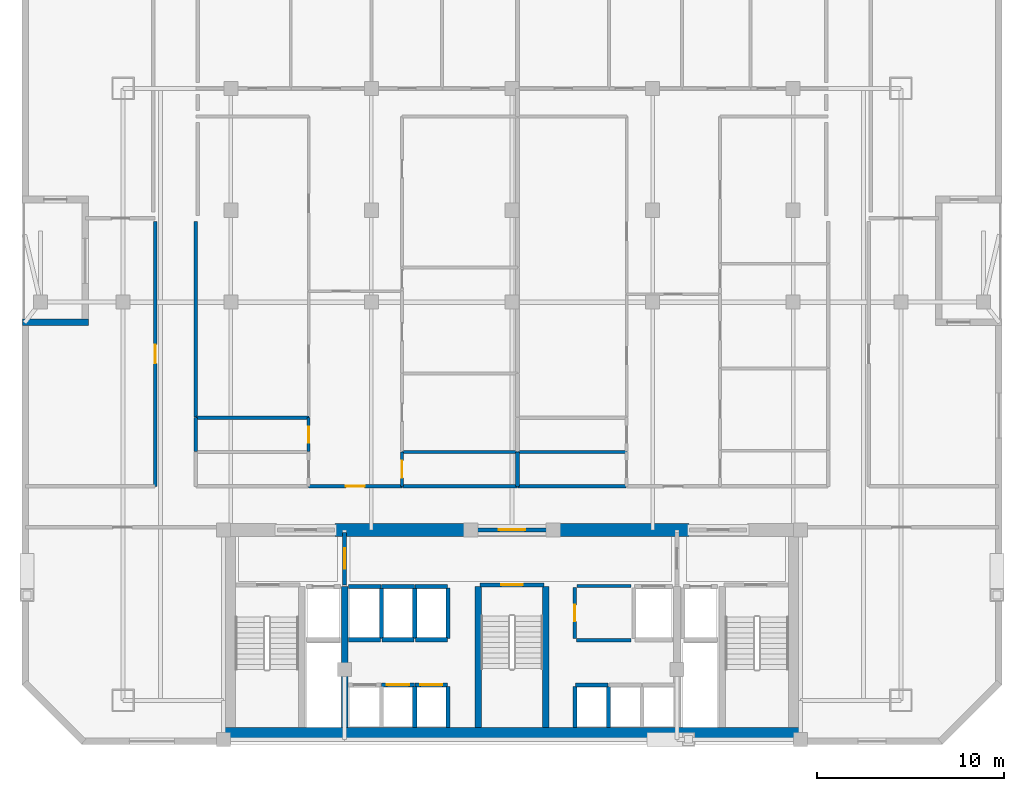
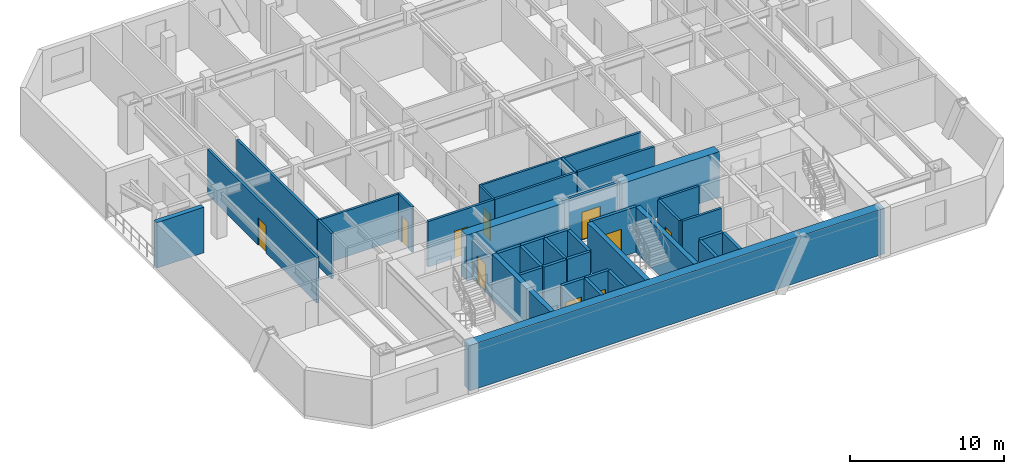
# One storey, part 3 of 9: 41 walls, 10 doors, 10 openings.
"""IFC4 building model written with IfcOpenShell, lengths in metres."""

from ifc_helpers import new_model, si_unit, direction, frame, frame_2d, origin, place, context, subcontext, project, spatial, rectangle, extrude, material, layer, layer_set, type_object, element, fill, save


model = new_model("IFC4")

# Units and contexts
model_context = context("Model", 3, precision=1e-05, world=origin(), true_north=direction((0.0, 1.0)))
body_context = subcontext(model_context, "Body", "Model", "MODEL_VIEW")
ifc_project = project(units=[si_unit("LENGTHUNIT", "METRE"), si_unit("AREAUNIT", "SQUARE_METRE"), si_unit("VOLUMEUNIT", "CUBIC_METRE"), si_unit("PLANEANGLEUNIT", "RADIAN"), si_unit("MASSUNIT", "GRAM", prefix="KILO")], contexts=[model_context])

# Site, building, storey
site_placement = place(None, origin())
site = spatial("IfcSite", under=ifc_project, at=site_placement, CompositionType="ELEMENT")
building_placement = place(site_placement, origin())
building = spatial("IfcBuilding", under=site, at=building_placement, Name="Ventersveld Concourse Tower", CompositionType="ELEMENT")
storey_placement = place(building_placement, frame((0.0, 0.0, 108.0)))
storey = spatial("IfcBuildingStorey", under=building, at=storey_placement, Name="L26", CompositionType="ELEMENT", Elevation=108.0)

# Walls
ifc_material_1 = material(Name="Concrete C60/75", Category="concrete")
ifc_layer_1 = layer(ifc_material_1, 0.35009765625)
ifc_layer_set_1 = layer_set([ifc_layer_1], Name="Concrete C60/75")
wall_type_1 = type_object("IfcWallType", Name="WL-CORE-350L", PredefinedType="SHEAR", material=ifc_layer_set_1)
for number, where, z_axis, x_axis, name in (
    (1, (19.820068359375, 0.919921875, 0.0), (0.0, 0.0, 1.0), (0.0, 1.0, 0.0), "L26 Core Internal Shear Web W-FF1-E"),
    (2, (26.93994140625, 0.919921875, 0.0), (0.0, 0.0, 1.0), (0.0, 1.0, 0.0), "L26 Core Internal Shear Web W-ST3-W"),
    (3, (30.56005859375, 0.919921875, 0.0), (0.0, 0.0, 1.0), (0.0, 1.0, 0.0), "L26 Core Internal Shear Web W-ST3-E"),
):
    element("IfcWall", number, at=place(storey_placement, frame(where, z_axis=z_axis, x_axis=x_axis)), inside=storey, type_object=wall_type_1, Name=name, PredefinedType="SHEAR", context=body_context, shape_type="SweptSolid", body=[
        extrude(rectangle(XDim=7.5, YDim=0.35009765625, at=frame_2d((3.75, 0.0))), origin(), (0.0, 0.0, 1.0), 3.60009765625),
    ])
ifc_layer_2 = layer(ifc_material_1, 0.699951171875)
ifc_layer_set_2 = layer_set([ifc_layer_2], Name="Concrete C60/75")
wall_type_2 = type_object("IfcWallType", Name="WL-CORE-700", PredefinedType="SHEAR", material=ifc_layer_set_2)
wall_1_placement = place(storey_placement, frame((13.25, 0.570068359375, 0.0), z_axis=(0.0, 0.0, 1.0), x_axis=(1.0, 0.0, 0.0)))
element("IfcWall", 4, at=wall_1_placement, inside=storey, type_object=wall_type_2, Name="L26 Rear Core South Shear Wall", PredefinedType="SHEAR", context=body_context, shape_type="SweptSolid", body=[
    extrude(rectangle(XDim=31.0, YDim=0.699951171875, at=frame_2d((15.5, 0.0))), origin(), (0.0, 0.0, 1.0), 3.60009765625),
])
for number, where, z_axis, x_axis, name in (
    (5, (19.300048828125, 11.449951171875, 0.0), (0.0, 0.0, 1.0), (1.0, 0.0, 0.0), "L26 Rear Core North Shear Wall NML"),
    (6, (30.89990234375, 11.449951171875, 0.0), (0.0, 0.0, 1.0), (1.0, 0.0, 0.0), "L26 Rear Core North Shear Wall NMR"),
):
    element("IfcWall", number, at=place(storey_placement, frame(where, z_axis=z_axis, x_axis=x_axis)), inside=storey, type_object=wall_type_2, Name=name, PredefinedType="SHEAR", context=body_context, shape_type="SweptSolid", body=[
        extrude(rectangle(XDim=7.300048828125, YDim=0.699951171875, at=frame_2d((3.64990234375, 0.0))), origin(), (0.0, 0.0, 1.0), 3.60009765625),
    ])

# Wall, opening, door
ifc_material_2 = material(Name="Fire-rated autoclaved aerated masonry blockwork", Category="masonry")
ifc_layer_3 = layer(ifc_material_2, 0.179931640625)
ifc_layer_set_3 = layer_set([ifc_layer_3], Name="Fire-rated autoclaved aerated masonry blockwork")
wall_type_3 = type_object("IfcWallType", Name="WL-CORR-180", PredefinedType="PARTITIONING", material=ifc_layer_set_3)
wall_2_placement = place(storey_placement, frame((32.10009765625, 5.64990234375, 0.0), z_axis=(0.0, 0.0, 1.0), x_axis=(0.0, 1.0, 0.0)))
wall_2 = element("IfcWall", 7, at=wall_2_placement, inside=storey, type_object=wall_type_3, Name="L26 Core Passage Wall SP-L26-CBAY1", PredefinedType="PARTITIONING", context=body_context, shape_type="SweptSolid", body=[
    extrude(rectangle(XDim=2.72998046875, YDim=0.179931640625, at=frame_2d((1.364990234375, 0.0))), origin(), (0.0, 0.0, 1.0), 3.60009765625),
])
opening_1_placement = place(wall_2_placement, frame((0.925048828125, 0.0, 0.0)))
opening_1 = element("IfcOpeningElement", 8, at=opening_1_placement, cuts=wall_2, Name="Opening FD5", PredefinedType="OPENING", context=body_context, shape_type="SweptSolid", body=[
    extrude(rectangle(XDim=0.8798828125, YDim=2.050048828125, at=frame_2d((0.43994140625, 1.02490234375))), frame((0.0, 0.10009765625, 0.0), z_axis=(0.0, -1.0, 0.0), x_axis=(1.0, 0.0, 0.0)), (0.0, 0.0, 1.0), 0.199951171875),
])
ifc_material_3 = material(Name="Galvanised painted steel", Category="steel")
door_type_1 = type_object("IfcDoorType", Name="DR-RISER-088", OperationType="NOTDEFINED", PredefinedType="DOOR", material=ifc_material_3)
door_1_placement = place(opening_1_placement, origin())
door_1 = element("IfcDoor", 9, at=door_1_placement, inside=storey, type_object=door_type_1, Name="L26 Core Room Door L26 Core Housekeeping Linen Store (CD-L26-1274)", OperationType="SINGLE_SWING_LEFT", OverallHeight=2.050048828125, OverallWidth=0.8798828125, PredefinedType="DOOR", context=body_context, shape_type="SweptSolid", body=[
    extrude(rectangle(XDim=0.8798828125, YDim=2.050048828125, at=frame_2d((0.43994140625, 1.02490234375))), frame((0.0, 0.02490234375, 0.0), z_axis=(0.0, -1.0, 0.0), x_axis=(1.0, 0.0, 0.0)), (0.0, 0.0, 1.0), 0.050048828125),
])
fill(opening_1, door_1)

# Walls
wall_3_placement = place(storey_placement, frame((32.219970703125, 8.4599609375, 0.0), z_axis=(0.0, 0.0, 1.0), x_axis=(1.0, 0.0, 0.0)))
element("IfcWall", 10, at=wall_3_placement, inside=storey, type_object=wall_type_3, Name="L26 Core Top Wall SP-L26-CBAY1", PredefinedType="PARTITIONING", context=body_context, shape_type="SweptSolid", body=[
    extrude(rectangle(XDim=2.880126953125, YDim=0.179931640625, at=frame_2d((1.43994140625, 0.0))), origin(), (0.0, 0.0, 1.0), 3.60009765625),
])
wall_4_placement = place(storey_placement, frame((32.179931640625, 5.570068359375, 0.0), z_axis=(0.0, 0.0, 1.0), x_axis=(1.0, 0.0, 0.0)))
element("IfcWall", 11, at=wall_4_placement, inside=storey, type_object=wall_type_3, Name="L26 Core Bot Wall SP-L26-CBAY1", PredefinedType="PARTITIONING", context=body_context, shape_type="SweptSolid", body=[
    extrude(rectangle(XDim=2.920166015625, YDim=0.179931640625, at=frame_2d((1.4599609375, 0.0))), origin(), (0.0, 0.0, 1.0), 3.60009765625),
])

# Wall, opening, door
wall_5_placement = place(storey_placement, frame((9.7099609375, 13.764892578125, 0.0), z_axis=(0.0, 0.0, 1.0), x_axis=(0.0, 1.0, 0.0)))
wall_5 = element("IfcWall", 12, at=wall_5_placement, inside=storey, type_object=wall_type_3, Name="L26 Interior Partition SP-L26-COR-SP-L26-NWLNG1", PredefinedType="PARTITIONING", context=body_context, shape_type="SweptSolid", body=[
    extrude(rectangle(XDim=14.130126953125, YDim=0.179931640625, at=frame_2d((7.06494140625, 0.0))), origin(), (0.0, 0.0, 1.0), 3.60009765625),
])
opening_2_placement = place(wall_5_placement, frame((6.56494140625, 0.0, 0.0)))
opening_2 = element("IfcOpeningElement", 13, at=opening_2_placement, cuts=wall_5, Name="Opening FD3", PredefinedType="OPENING", context=body_context, shape_type="SweptSolid", body=[
    extrude(rectangle(XDim=1.0, YDim=2.14990234375, at=frame_2d((0.5, 1.074951171875))), frame((0.0, 0.10009765625, 0.0), z_axis=(0.0, -1.0, 0.0), x_axis=(1.0, 0.0, 0.0)), (0.0, 0.0, 1.0), 0.199951171875),
])
ifc_material_4 = material(Name="Solid-core hardwood veneer timber", Category="wood")
door_type_2 = type_object("IfcDoorType", Name="DR-FLAT-100", OperationType="NOTDEFINED", PredefinedType="DOOR", material=ifc_material_4)
door_2_placement = place(opening_2_placement, origin())
door_2 = element("IfcDoor", 14, at=door_2_placement, inside=storey, type_object=door_type_2, Name="L26 Interior Door SP-L26-COR to SP-L26-NWLNG1 (D-L26-1277)", OperationType="SINGLE_SWING_LEFT", OverallHeight=2.14990234375, OverallWidth=1.0, PredefinedType="DOOR", context=body_context, shape_type="SweptSolid", body=[
    extrude(rectangle(XDim=1.0, YDim=2.14990234375, at=frame_2d((0.5, 1.074951171875))), frame((0.0, 0.02490234375, 0.0), z_axis=(0.0, -1.0, 0.0), x_axis=(1.0, 0.0, 0.0)), (0.0, 0.0, 1.0), 0.050048828125),
])
fill(opening_2, door_2)

wall_6_placement = place(storey_placement, frame((17.89794921875, 13.77001953125, 0.0), z_axis=(0.0, 0.0, 1.0), x_axis=(1.0, 0.0, 0.0)))
wall_6 = element("IfcWall", 15, at=wall_6_placement, inside=storey, type_object=wall_type_3, Name="L26 Interior Partition SP-L26-COR-SP-L26-26N1-FOY", PredefinedType="PARTITIONING", context=body_context, shape_type="SweptSolid", body=[
    extrude(rectangle(XDim=4.989990234375, YDim=0.179931640625, at=frame_2d((2.4951171875, 0.0))), origin(), (0.0, 0.0, 1.0), 3.60009765625),
])
opening_3_placement = place(wall_6_placement, frame((1.9951171875, 0.0, 0.0)))
opening_3 = element("IfcOpeningElement", 16, at=opening_3_placement, cuts=wall_6, Name="Opening FD3", PredefinedType="OPENING", context=body_context, shape_type="SweptSolid", body=[
    extrude(rectangle(XDim=1.0, YDim=2.14990234375, at=frame_2d((0.5, 1.074951171875))), frame((0.0, 0.10009765625, 0.0), z_axis=(0.0, -1.0, 0.0), x_axis=(1.0, 0.0, 0.0)), (0.0, 0.0, 1.0), 0.199951171875),
])
door_3_placement = place(opening_3_placement, origin())
door_3 = element("IfcDoor", 17, at=door_3_placement, inside=storey, type_object=door_type_2, Name="L26 Interior Door SP-L26-COR to SP-L26-26N1-FOY (FD-L26-1279)", OperationType="SINGLE_SWING_LEFT", OverallHeight=2.14990234375, OverallWidth=1.0, PredefinedType="DOOR", context=body_context, shape_type="SweptSolid", body=[
    extrude(rectangle(XDim=1.0, YDim=2.14990234375, at=frame_2d((0.5, 1.074951171875))), frame((0.0, 0.02490234375, 0.0), z_axis=(0.0, -1.0, 0.0), x_axis=(1.0, 0.0, 0.0)), (0.0, 0.0, 1.0), 0.050048828125),
])
fill(opening_3, door_3)

# Walls
wall_7_placement = place(storey_placement, frame((11.889892578125, 15.635009765625, 0.0), z_axis=(0.0, 0.0, 1.0), x_axis=(0.0, 1.0, 0.0)))
element("IfcWall", 18, at=wall_7_placement, inside=storey, type_object=wall_type_3, Name="L26 Interior Partition SP-L26-COR-SP-L26-26N1-PWDL2", PredefinedType="PARTITIONING", context=body_context, shape_type="SweptSolid", body=[
    extrude(rectangle(XDim=1.800048828125, YDim=0.179931640625, at=frame_2d((0.89990234375, 0.0))), origin(), (0.0, 0.0, 1.0), 3.60009765625),
])
wall_8_placement = place(storey_placement, frame((11.889892578125, 17.465087890625, 0.0), z_axis=(0.0, 0.0, 1.0), x_axis=(0.0, 1.0, 0.0)))
element("IfcWall", 19, at=wall_8_placement, inside=storey, type_object=wall_type_3, Name="L26 Interior Partition SP-L26-COR-SP-L26-26N1-OFFL0", PredefinedType="PARTITIONING", context=body_context, shape_type="SweptSolid", body=[
    extrude(rectangle(XDim=10.429931640625, YDim=0.179931640625, at=frame_2d((5.21484375, 0.0))), origin(), (0.0, 0.0, 1.0), 3.60009765625),
])
wall_9_placement = place(storey_placement, frame((22.91796875, 13.77001953125, 0.0), z_axis=(0.0, 0.0, 1.0), x_axis=(1.0, 0.0, 0.0)))
element("IfcWall", 20, at=wall_9_placement, inside=storey, type_object=wall_type_3, Name="L26 Interior Partition SP-L26-COR-SP-L26-26N1-KIT", PredefinedType="PARTITIONING", context=body_context, shape_type="SweptSolid", body=[
    extrude(rectangle(XDim=6.1240234375, YDim=0.179931640625, at=frame_2d((3.06201171875, 0.0))), origin(), (0.0, 0.0, 1.0), 3.60009765625),
])
wall_10_placement = place(storey_placement, frame((29.072021484375, 13.77001953125, 0.0), z_axis=(0.0, 0.0, 1.0), x_axis=(1.0, 0.0, 0.0)))
element("IfcWall", 21, at=wall_10_placement, inside=storey, type_object=wall_type_3, Name="L26 Interior Partition SP-L26-COR-SP-L26-26N2-BATH", PredefinedType="PARTITIONING", context=body_context, shape_type="SweptSolid", body=[
    extrude(rectangle(XDim=5.760498046875, YDim=0.179931640625, at=frame_2d((2.88037109375, 0.0))), origin(), (0.0, 0.0, 1.0), 3.60009765625),
])
ifc_layer_4 = layer(ifc_material_2, 0.199951171875)
ifc_layer_set_4 = layer_set([ifc_layer_4], Name="Fire-rated autoclaved aerated masonry blockwork")
wall_type_4 = type_object("IfcWallType", Name="WL-DEMISE-200", PredefinedType="PARTITIONING", material=ifc_layer_set_4)
wall_11_placement = place(storey_placement, frame((29.036865234375, 13.764892578125, 0.0), z_axis=(0.0, 0.0, 1.0), x_axis=(0.0, 1.0, 0.0)))
element("IfcWall", 22, at=wall_11_placement, inside=storey, type_object=wall_type_4, Name="L26 Interior Partition SP-L26-26N1-KIT-SP-L26-26N2-BATH", PredefinedType="PARTITIONING", context=body_context, shape_type="SweptSolid", body=[
    extrude(rectangle(XDim=1.840087890625, YDim=0.199951171875, at=frame_2d((0.919921875, 0.0))), origin(), (0.0, 0.0, 1.0), 3.60009765625),
])
ifc_layer_5 = layer(ifc_material_2, 0.219970703125)
ifc_layer_set_5 = layer_set([ifc_layer_5], Name="Fire-rated autoclaved aerated masonry blockwork")
wall_type_5 = type_object("IfcWallType", Name="WL-HOIST-220", PredefinedType="SOLIDWALL", material=ifc_layer_set_5)
wall_12_placement = place(storey_placement, frame((23.56005859375, 0.89990234375, 0.0), z_axis=(0.0, 0.0, 1.0), x_axis=(0.0, 1.0, 0.0)))
element("IfcWall", 23, at=wall_12_placement, inside=storey, type_object=wall_type_5, Name="L26 Lift Hoistway Side Wall PL-02E", PredefinedType="SOLIDWALL", context=body_context, shape_type="SweptSolid", body=[
    extrude(rectangle(XDim=2.2001953125, YDim=0.219970703125, at=frame_2d((1.10009765625, 0.0))), origin(), (0.0, 0.0, 1.0), 3.60009765625),
])

# Wall, opening, door
wall_13_placement = place(storey_placement, frame((21.800048828125, 3.179931640625, 0.0), z_axis=(0.0, 0.0, 1.0), x_axis=(1.0, 0.0, 0.0)))
wall_13 = element("IfcWall", 24, at=wall_13_placement, inside=storey, type_object=wall_type_5, Name="L26 Lift Hoistway Front Wall PL-02", PredefinedType="SOLIDWALL", context=body_context, shape_type="SweptSolid", body=[
    extrude(rectangle(XDim=1.739990234375, YDim=0.219970703125, at=frame_2d((0.8701171875, 0.0))), origin(), (0.0, 0.0, 1.0), 3.60009765625),
])
opening_4_placement = place(wall_13_placement, frame((0.280029296875, 0.0, 0.0)))
opening_4 = element("IfcOpeningElement", 25, at=opening_4_placement, cuts=wall_13, Name="Opening LD2", PredefinedType="OPENING", context=body_context, shape_type="SweptSolid", body=[
    extrude(rectangle(XDim=1.179931640625, YDim=2.199951171875, at=frame_2d((0.58984375, 1.10009765625))), frame((0.0, 0.1201171875, 0.0), z_axis=(0.0, -1.0, 0.0), x_axis=(1.0, 0.0, 0.0)), (0.0, 0.0, 1.0), 0.239990234375),
])
ifc_material_5 = material(Name="Brushed stainless steel 316", Category="steel")
door_type_3 = type_object("IfcDoorType", Name="LD-PAX-118", OperationType="SLIDING_TO_LEFT", PredefinedType="DOOR", material=ifc_material_5)
door_4_placement = place(opening_4_placement, origin())
door_4 = element("IfcDoor", 26, at=door_4_placement, inside=storey, type_object=door_type_3, Name="L26 Lift landing door PL-02 (LD-L26-PL-02)", OperationType="SLIDING_TO_LEFT", OverallHeight=2.199951171875, OverallWidth=1.179931640625, PredefinedType="DOOR", context=body_context, shape_type="SweptSolid", body=[
    extrude(rectangle(XDim=1.179931640625, YDim=2.199951171875, at=frame_2d((0.58984375, 1.10009765625))), frame((0.0, 0.02490234375, 0.0), z_axis=(0.0, -1.0, 0.0), x_axis=(1.0, 0.0, 0.0)), (0.0, 0.0, 1.0), 0.050048828125),
])
fill(opening_4, door_4)

# Wall
wall_14_placement = place(storey_placement, frame((25.340087890625, 0.89990234375, 0.0), z_axis=(0.0, 0.0, 1.0), x_axis=(0.0, 1.0, 0.0)))
element("IfcWall", 27, at=wall_14_placement, inside=storey, type_object=wall_type_5, Name="L26 Lift Hoistway Side Wall PL-03E", PredefinedType="SOLIDWALL", context=body_context, shape_type="SweptSolid", body=[
    extrude(rectangle(XDim=2.2001953125, YDim=0.219970703125, at=frame_2d((1.10009765625, 0.0))), origin(), (0.0, 0.0, 1.0), 3.60009765625),
])

# Wall, opening, door
wall_15_placement = place(storey_placement, frame((23.580078125, 3.179931640625, 0.0), z_axis=(0.0, 0.0, 1.0), x_axis=(1.0, 0.0, 0.0)))
wall_15 = element("IfcWall", 28, at=wall_15_placement, inside=storey, type_object=wall_type_5, Name="L26 Lift Hoistway Front Wall PL-03", PredefinedType="SOLIDWALL", context=body_context, shape_type="SweptSolid", body=[
    extrude(rectangle(XDim=1.739990234375, YDim=0.219970703125, at=frame_2d((0.8701171875, 0.0))), origin(), (0.0, 0.0, 1.0), 3.60009765625),
])
opening_5_placement = place(wall_15_placement, frame((0.280029296875, 0.0, 0.0)))
opening_5 = element("IfcOpeningElement", 29, at=opening_5_placement, cuts=wall_15, Name="Opening LD2", PredefinedType="OPENING", context=body_context, shape_type="SweptSolid", body=[
    extrude(rectangle(XDim=1.179931640625, YDim=2.199951171875, at=frame_2d((0.58984375, 1.10009765625))), frame((0.0, 0.1201171875, 0.0), z_axis=(0.0, -1.0, 0.0), x_axis=(1.0, 0.0, 0.0)), (0.0, 0.0, 1.0), 0.239990234375),
])
door_5_placement = place(opening_5_placement, origin())
door_5 = element("IfcDoor", 30, at=door_5_placement, inside=storey, type_object=door_type_3, Name="L26 Lift landing door PL-03 (LD-L26-PL-03)", OperationType="SLIDING_TO_RIGHT", OverallHeight=2.199951171875, OverallWidth=1.179931640625, PredefinedType="DOOR", context=body_context, shape_type="SweptSolid", body=[
    extrude(rectangle(XDim=1.179931640625, YDim=2.199951171875, at=frame_2d((0.58984375, 1.10009765625))), frame((0.0, 0.02490234375, 0.0), z_axis=(0.0, -1.0, 0.0), x_axis=(1.0, 0.0, 0.0)), (0.0, 0.0, 1.0), 0.050048828125),
])
fill(opening_5, door_5)

# Walls
for number, where, z_axis, x_axis, name in (
    (31, (32.1201171875, 0.89990234375, 0.0), (0.0, 0.0, 1.0), (0.0, 1.0, 0.0), "L26 Lift Hoistway Side Wall PM-01W"),
    (32, (33.89990234375, 0.89990234375, 0.0), (0.0, 0.0, 1.0), (0.0, 1.0, 0.0), "L26 Lift Hoistway Side Wall PM-01E"),
):
    element("IfcWall", number, at=place(storey_placement, frame(where, z_axis=z_axis, x_axis=x_axis)), inside=storey, type_object=wall_type_5, Name=name, PredefinedType="SOLIDWALL", context=body_context, shape_type="SweptSolid", body=[
        extrude(rectangle(XDim=2.2001953125, YDim=0.219970703125, at=frame_2d((1.10009765625, 0.0))), origin(), (0.0, 0.0, 1.0), 3.60009765625),
    ])
wall_16_placement = place(storey_placement, frame((32.139892578125, 3.179931640625, 0.0), z_axis=(0.0, 0.0, 1.0), x_axis=(1.0, 0.0, 0.0)))
element("IfcWall", 33, at=wall_16_placement, inside=storey, type_object=wall_type_5, Name="L26 Lift Hoistway Front Wall PM-01", PredefinedType="SOLIDWALL", context=body_context, shape_type="SweptSolid", body=[
    extrude(rectangle(XDim=1.739990234375, YDim=0.219970703125, at=frame_2d((0.8701171875, 0.0))), origin(), (0.0, 0.0, 1.0), 3.60009765625),
])
wall_17_placement = place(storey_placement, frame((20.0400390625, 5.590087890625, 0.0), z_axis=(0.0, 0.0, 1.0), x_axis=(1.0, 0.0, 0.0)))
element("IfcWall", 34, at=wall_17_placement, inside=storey, type_object=wall_type_5, Name="L26 Lift Hoistway Back Wall PH-01", PredefinedType="SOLIDWALL", context=body_context, shape_type="SweptSolid", body=[
    extrude(rectangle(XDim=1.699951171875, YDim=0.219970703125, at=frame_2d((0.85009765625, 0.0))), origin(), (0.0, 0.0, 1.0), 3.60009765625),
])
wall_18_placement = place(storey_placement, frame((21.780029296875, 5.64990234375, 0.0), z_axis=(0.0, 0.0, 1.0), x_axis=(0.0, 1.0, 0.0)))
element("IfcWall", 35, at=wall_18_placement, inside=storey, type_object=wall_type_5, Name="L26 Lift Hoistway Side Wall PH-01E", PredefinedType="SOLIDWALL", context=body_context, shape_type="SweptSolid", body=[
    extrude(rectangle(XDim=2.7001953125, YDim=0.219970703125, at=frame_2d((1.35009765625, 0.0))), origin(), (0.0, 0.0, 1.0), 3.60009765625),
])
wall_19_placement = place(storey_placement, frame((20.02001953125, 8.429931640625, 0.0), z_axis=(0.0, 0.0, 1.0), x_axis=(1.0, 0.0, 0.0)))
element("IfcWall", 36, at=wall_19_placement, inside=storey, type_object=wall_type_5, Name="L26 Lift Hoistway Front Wall PH-01", PredefinedType="SOLIDWALL", context=body_context, shape_type="SweptSolid", body=[
    extrude(rectangle(XDim=1.739990234375, YDim=0.219970703125, at=frame_2d((0.8701171875, 0.0))), origin(), (0.0, 0.0, 1.0), 3.60009765625),
])
wall_20_placement = place(storey_placement, frame((21.820068359375, 5.590087890625, 0.0), z_axis=(0.0, 0.0, 1.0), x_axis=(1.0, 0.0, 0.0)))
element("IfcWall", 37, at=wall_20_placement, inside=storey, type_object=wall_type_5, Name="L26 Lift Hoistway Back Wall PH-02", PredefinedType="SOLIDWALL", context=body_context, shape_type="SweptSolid", body=[
    extrude(rectangle(XDim=1.699951171875, YDim=0.219970703125, at=frame_2d((0.85009765625, 0.0))), origin(), (0.0, 0.0, 1.0), 3.60009765625),
])
wall_21_placement = place(storey_placement, frame((23.56005859375, 5.64990234375, 0.0), z_axis=(0.0, 0.0, 1.0), x_axis=(0.0, 1.0, 0.0)))
element("IfcWall", 38, at=wall_21_placement, inside=storey, type_object=wall_type_5, Name="L26 Lift Hoistway Side Wall PH-02E", PredefinedType="SOLIDWALL", context=body_context, shape_type="SweptSolid", body=[
    extrude(rectangle(XDim=2.7001953125, YDim=0.219970703125, at=frame_2d((1.35009765625, 0.0))), origin(), (0.0, 0.0, 1.0), 3.60009765625),
])
wall_22_placement = place(storey_placement, frame((21.800048828125, 8.429931640625, 0.0), z_axis=(0.0, 0.0, 1.0), x_axis=(1.0, 0.0, 0.0)))
element("IfcWall", 39, at=wall_22_placement, inside=storey, type_object=wall_type_5, Name="L26 Lift Hoistway Front Wall PH-02", PredefinedType="SOLIDWALL", context=body_context, shape_type="SweptSolid", body=[
    extrude(rectangle(XDim=1.739990234375, YDim=0.219970703125, at=frame_2d((0.8701171875, 0.0))), origin(), (0.0, 0.0, 1.0), 3.60009765625),
])
wall_23_placement = place(storey_placement, frame((23.60009765625, 5.590087890625, 0.0), z_axis=(0.0, 0.0, 1.0), x_axis=(1.0, 0.0, 0.0)))
element("IfcWall", 40, at=wall_23_placement, inside=storey, type_object=wall_type_5, Name="L26 Lift Hoistway Back Wall PH-03", PredefinedType="SOLIDWALL", context=body_context, shape_type="SweptSolid", body=[
    extrude(rectangle(XDim=1.699951171875, YDim=0.219970703125, at=frame_2d((0.85009765625, 0.0))), origin(), (0.0, 0.0, 1.0), 3.60009765625),
])
wall_24_placement = place(storey_placement, frame((25.340087890625, 5.64990234375, 0.0), z_axis=(0.0, 0.0, 1.0), x_axis=(0.0, 1.0, 0.0)))
element("IfcWall", 41, at=wall_24_placement, inside=storey, type_object=wall_type_5, Name="L26 Lift Hoistway Side Wall PH-03E", PredefinedType="SOLIDWALL", context=body_context, shape_type="SweptSolid", body=[
    extrude(rectangle(XDim=2.7001953125, YDim=0.219970703125, at=frame_2d((1.35009765625, 0.0))), origin(), (0.0, 0.0, 1.0), 3.60009765625),
])
wall_25_placement = place(storey_placement, frame((23.580078125, 8.429931640625, 0.0), z_axis=(0.0, 0.0, 1.0), x_axis=(1.0, 0.0, 0.0)))
element("IfcWall", 42, at=wall_25_placement, inside=storey, type_object=wall_type_5, Name="L26 Lift Hoistway Front Wall PH-03", PredefinedType="SOLIDWALL", context=body_context, shape_type="SweptSolid", body=[
    extrude(rectangle(XDim=1.739990234375, YDim=0.219970703125, at=frame_2d((0.8701171875, 0.0))), origin(), (0.0, 0.0, 1.0), 3.60009765625),
])

# Wall, opening, door
wall_26_placement = place(storey_placement, frame((27.0400390625, 8.52001953125, 0.0), z_axis=(0.0, 0.0, 1.0), x_axis=(1.0, 0.0, 0.0)))
wall_26 = element("IfcWall", 43, at=wall_26_placement, inside=storey, type_object=wall_type_5, Name="L26 Escape Stair ST03 Fire Wall", PredefinedType="SOLIDWALL", context=body_context, shape_type="SweptSolid", body=[
    extrude(rectangle(XDim=3.419921875, YDim=0.219970703125, at=frame_2d((1.7099609375, 0.0))), origin(), (0.0, 0.0, 1.0), 3.60009765625),
])
opening_6_placement = place(wall_26_placement, frame((1.135009765625, 0.0, 0.0)))
opening_6 = element("IfcOpeningElement", 44, at=opening_6_placement, cuts=wall_26, Name="Opening FD1", PredefinedType="OPENING", context=body_context, shape_type="SweptSolid", body=[
    extrude(rectangle(XDim=1.14990234375, YDim=2.199951171875, at=frame_2d((0.574951171875, 1.10009765625))), frame((0.0, 0.1201171875, 0.0), z_axis=(0.0, -1.0, 0.0), x_axis=(1.0, 0.0, 0.0)), (0.0, 0.0, 1.0), 0.239990234375),
])
door_type_4 = type_object("IfcDoorType", Name="DR-STAIR-115", OperationType="NOTDEFINED", PredefinedType="DOOR", material=ifc_material_3)
door_6_placement = place(opening_6_placement, origin())
door_6 = element("IfcDoor", 45, at=door_6_placement, inside=storey, type_object=door_type_4, Name="L26 Escape Stair Door ST03 (SD-L26-1268)", OperationType="SINGLE_SWING_LEFT", OverallHeight=2.199951171875, OverallWidth=1.14990234375, PredefinedType="DOOR", context=body_context, shape_type="SweptSolid", body=[
    extrude(rectangle(XDim=1.14990234375, YDim=2.199951171875, at=frame_2d((0.574951171875, 1.10009765625))), frame((0.0, 0.02490234375, 0.0), z_axis=(0.0, -1.0, 0.0), x_axis=(1.0, 0.0, 0.0)), (0.0, 0.0, 1.0), 0.050048828125),
])
fill(opening_6, door_6)

wall_27_placement = place(storey_placement, frame((19.820068359375, 8.52001953125, 0.0), z_axis=(0.0, 0.0, 1.0), x_axis=(0.0, 1.0, 0.0)))
wall_27 = element("IfcWall", 46, at=wall_27_placement, inside=storey, type_object=wall_type_5, Name="L26 Firefighting Lobby Smoke-Stop Wall FFLW-SEP", PredefinedType="SOLIDWALL", context=body_context, shape_type="SweptSolid", body=[
    extrude(rectangle(XDim=2.800048828125, YDim=0.219970703125, at=frame_2d((1.39990234375, 0.0))), origin(), (0.0, 0.0, 1.0), 3.055419921875),
])
opening_7_placement = place(wall_27_placement, frame((0.85009765625, 0.0, 0.0)))
opening_7 = element("IfcOpeningElement", 47, at=opening_7_placement, cuts=wall_27, Name="Opening FD2", PredefinedType="OPENING", context=body_context, shape_type="SweptSolid", body=[
    extrude(rectangle(XDim=1.10009765625, YDim=2.199951171875, at=frame_2d((0.550048828125, 1.10009765625))), frame((0.0, 0.1201171875, 0.0), z_axis=(0.0, -1.0, 0.0), x_axis=(1.0, 0.0, 0.0)), (0.0, 0.0, 1.0), 0.239990234375),
])
door_type_5 = type_object("IfcDoorType", Name="DR-FFL-110", OperationType="NOTDEFINED", PredefinedType="DOOR", material=ifc_material_3)
door_7_placement = place(opening_7_placement, origin())
door_7 = element("IfcDoor", 48, at=door_7_placement, inside=storey, type_object=door_type_5, Name="L26 Firefighting Lobby Door FFLW-SEP (FD-L26-1269)", OperationType="SINGLE_SWING_LEFT", OverallHeight=2.199951171875, OverallWidth=1.10009765625, PredefinedType="DOOR", context=body_context, shape_type="SweptSolid", body=[
    extrude(rectangle(XDim=1.10009765625, YDim=2.199951171875, at=frame_2d((0.550048828125, 1.10009765625))), frame((0.0, 0.02490234375, 0.0), z_axis=(0.0, -1.0, 0.0), x_axis=(1.0, 0.0, 0.0)), (0.0, 0.0, 1.0), 0.050048828125),
])
fill(opening_7, door_7)

wall_28_placement = place(storey_placement, frame((26.6298828125, 11.449951171875, 0.0), z_axis=(0.0, 0.0, 1.0), x_axis=(1.0, 0.0, 0.0)))
wall_28 = element("IfcWall", 49, at=wall_28_placement, inside=storey, type_object=wall_type_5, Name="L26 Core North Fire Portal PLOB-OUT", PredefinedType="SOLIDWALL", context=body_context, shape_type="SweptSolid", body=[
    extrude(rectangle(XDim=4.240234375, YDim=0.219970703125, at=frame_2d((2.1201171875, 0.0))), origin(), (0.0, 0.0, 1.0), 3.60009765625),
])
opening_8_placement = place(wall_28_placement, frame((1.419921875, 0.0, 0.0)))
opening_8 = element("IfcOpeningElement", 50, at=opening_8_placement, cuts=wall_28, Name="Opening FD4", PredefinedType="OPENING", context=body_context, shape_type="SweptSolid", body=[
    extrude(rectangle(XDim=1.39990234375, YDim=2.199951171875, at=frame_2d((0.699951171875, 1.10009765625))), frame((0.0, 0.1201171875, 0.0), z_axis=(0.0, -1.0, 0.0), x_axis=(1.0, 0.0, 0.0)), (0.0, 0.0, 1.0), 0.239990234375),
])
door_type_6 = type_object("IfcDoorType", Name="DR-PLANT-140", OperationType="DOUBLE_DOOR_SINGLE_SWING", PredefinedType="DOOR", material=ifc_material_3)
door_8_placement = place(opening_8_placement, origin())
door_8 = element("IfcDoor", 51, at=door_8_placement, inside=storey, type_object=door_type_6, Name="L26 Core Lobby Fire Door PLOB-OUT (FD-L26-1272)", OperationType="DOUBLE_DOOR_SINGLE_SWING", OverallHeight=2.199951171875, OverallWidth=1.39990234375, PredefinedType="DOOR", context=body_context, shape_type="SweptSolid", body=[
    extrude(rectangle(XDim=1.39990234375, YDim=2.199951171875, at=frame_2d((0.699951171875, 1.10009765625))), frame((0.0, 0.02490234375, 0.0), z_axis=(0.0, -1.0, 0.0), x_axis=(1.0, 0.0, 0.0)), (0.0, 0.0, 1.0), 0.050048828125),
])
fill(opening_8, door_8)

ifc_material_6 = material(Name="Autoclaved aerated masonry blockwork", Category="masonry")
ifc_layer_6 = layer(ifc_material_6, 0.14990234375)
ifc_layer_set_6 = layer_set([ifc_layer_6], Name="Autoclaved aerated masonry blockwork")
wall_type_6 = type_object("IfcWallType", Name="WL-INT-150", PredefinedType="PARTITIONING", material=ifc_layer_set_6)
wall_29_placement = place(storey_placement, frame((22.8828125, 13.764892578125, 0.0), z_axis=(0.0, 0.0, 1.0), x_axis=(0.0, 1.0, 0.0)))
wall_29 = element("IfcWall", 52, at=wall_29_placement, inside=storey, type_object=wall_type_6, Name="L26 Interior Partition SP-L26-26N1-FOY-SP-L26-26N1-KIT", PredefinedType="PARTITIONING", context=body_context, shape_type="SweptSolid", body=[
    extrude(rectangle(XDim=1.840087890625, YDim=0.14990234375, at=frame_2d((0.919921875, 0.0))), origin(), (0.0, 0.0, 1.0), 3.60009765625),
])
opening_9_placement = place(wall_29_placement, frame((0.4599609375, 0.0, 0.0)))
opening_9 = element("IfcOpeningElement", 53, at=opening_9_placement, cuts=wall_29, Name="Opening ID1", PredefinedType="OPENING", context=body_context, shape_type="SweptSolid", body=[
    extrude(rectangle(XDim=0.919921875, YDim=2.10009765625, at=frame_2d((0.4599609375, 1.050048828125))), frame((0.0, 0.0849609375, 0.0), z_axis=(0.0, -1.0, 0.0), x_axis=(1.0, 0.0, 0.0)), (0.0, 0.0, 1.0), 0.169921875),
])
door_type_7 = type_object("IfcDoorType", Name="DR-ROOM-092", OperationType="NOTDEFINED", PredefinedType="DOOR", material=ifc_material_4)
door_9_placement = place(opening_9_placement, origin())
door_9 = element("IfcDoor", 54, at=door_9_placement, inside=storey, type_object=door_type_7, Name="L26 Interior Door SP-L26-26N1-FOY to SP-L26-26N1-KIT (D-L26-1287)", OperationType="SINGLE_SWING_LEFT", OverallHeight=2.10009765625, OverallWidth=0.919921875, PredefinedType="DOOR", context=body_context, shape_type="SweptSolid", body=[
    extrude(rectangle(XDim=0.919921875, YDim=2.10009765625, at=frame_2d((0.4599609375, 1.050048828125))), frame((0.0, 0.02490234375, 0.0), z_axis=(0.0, -1.0, 0.0), x_axis=(1.0, 0.0, 0.0)), (0.0, 0.0, 1.0), 0.050048828125),
])
fill(opening_9, door_9)

# Walls
wall_30_placement = place(storey_placement, frame((22.8779296875, 15.60009765625, 0.0), z_axis=(0.0, 0.0, 1.0), x_axis=(1.0, 0.0, 0.0)))
element("IfcWall", 55, at=wall_30_placement, inside=storey, type_object=wall_type_6, Name="L26 Interior Partition SP-L26-26N1-KIT-SP-L26-26N1-MEDR1", PredefinedType="PARTITIONING", context=body_context, shape_type="SweptSolid", body=[
    extrude(rectangle(XDim=6.1640625, YDim=0.14990234375, at=frame_2d((3.08203125, 0.0))), origin(), (0.0, 0.0, 1.0), 3.60009765625),
])
ifc_material_7 = material(Name="Precast concrete C45/55", Category="concrete")
ifc_layer_7 = layer(ifc_material_7, 0.35009765625)
ifc_layer_set_7 = layer_set([ifc_layer_7], Name="Precast concrete C45/55")
wall_type_7 = type_object("IfcWallType", Name="WL-PREC-350", PredefinedType="SOLIDWALL", material=ifc_layer_set_7)
wall_31_placement = place(storey_placement, frame((6.14990234375, 22.52490234375, 0.0), z_axis=(0.0, 0.0, 1.0), x_axis=(-1.0, 0.0, 0.0)))
element("IfcWall", 56, at=wall_31_placement, inside=storey, type_object=wall_type_7, Name="L26 Highveld Precast Facade Wall E14", PredefinedType="SOLIDWALL", context=body_context, shape_type="SweptSolid", body=[
    extrude(rectangle(XDim=3.510009765625, YDim=0.35009765625, at=frame_2d((1.7548828125, 0.0))), origin(), (0.0, 0.0, 1.0), 3.60009765625),
])

# Wall, opening, door
ifc_layer_8 = layer(ifc_material_6, 0.1650390625)
ifc_layer_set_8 = layer_set([ifc_layer_8], Name="Autoclaved aerated masonry blockwork")
wall_type_8 = type_object("IfcWallType", Name="WL-WET-165", PredefinedType="PLUMBINGWALL", material=ifc_layer_set_8)
wall_32_placement = place(storey_placement, frame((17.90283203125, 15.635009765625, 0.0), z_axis=(0.0, 0.0, 1.0), x_axis=(0.0, 1.0, 0.0)))
wall_32 = element("IfcWall", 57, at=wall_32_placement, inside=storey, type_object=wall_type_8, Name="L26 Interior Partition SP-L26-26N1-FOY-SP-L26-26N1-PWDL2", PredefinedType="PLUMBINGWALL", context=body_context, shape_type="SweptSolid", body=[
    extrude(rectangle(XDim=1.800048828125, YDim=0.1650390625, at=frame_2d((0.89990234375, 0.0))), origin(), (0.0, 0.0, 1.0), 3.60009765625),
])
opening_10_placement = place(wall_32_placement, frame((0.47509765625, 0.0, 0.0)))
opening_10 = element("IfcOpeningElement", 58, at=opening_10_placement, cuts=wall_32, Name="Opening ID2", PredefinedType="OPENING", context=body_context, shape_type="SweptSolid", body=[
    extrude(rectangle(XDim=0.85009765625, YDim=2.10009765625, at=frame_2d((0.425048828125, 1.050048828125))), frame((0.0, 0.092529296875, 0.0), z_axis=(0.0, -1.0, 0.0), x_axis=(1.0, 0.0, 0.0)), (0.0, 0.0, 1.0), 0.18505859375),
])
door_type_8 = type_object("IfcDoorType", Name="DR-BATH-085", OperationType="NOTDEFINED", PredefinedType="DOOR", material=ifc_material_4)
door_10_placement = place(opening_10_placement, origin())
door_10 = element("IfcDoor", 59, at=door_10_placement, inside=storey, type_object=door_type_8, Name="L26 Interior Door SP-L26-26N1-FOY to SP-L26-26N1-PWDL2 (D-L26-1285)", OperationType="SINGLE_SWING_LEFT", OverallHeight=2.10009765625, OverallWidth=0.85009765625, PredefinedType="DOOR", context=body_context, shape_type="SweptSolid", body=[
    extrude(rectangle(XDim=0.85009765625, YDim=2.10009765625, at=frame_2d((0.425048828125, 1.050048828125))), frame((0.0, 0.02490234375, 0.0), z_axis=(0.0, -1.0, 0.0), x_axis=(1.0, 0.0, 0.0)), (0.0, 0.0, 1.0), 0.050048828125),
])
fill(opening_10, door_10)

# Walls
wall_33_placement = place(storey_placement, frame((11.885009765625, 17.429931640625, 0.0), z_axis=(0.0, 0.0, 1.0), x_axis=(1.0, 0.0, 0.0)))
element("IfcWall", 60, at=wall_33_placement, inside=storey, type_object=wall_type_8, Name="L26 Interior Partition SP-L26-26N1-PWDL2-SP-L26-26N1-OFFL0", PredefinedType="PLUMBINGWALL", context=body_context, shape_type="SweptSolid", body=[
    extrude(rectangle(XDim=6.02294921875, YDim=0.1650390625, at=frame_2d((3.011474609375, 0.0))), origin(), (0.0, 0.0, 1.0), 3.60009765625),
])
wall_34_placement = place(storey_placement, frame((29.072021484375, 15.60009765625, 0.0), z_axis=(0.0, 0.0, 1.0), x_axis=(1.0, 0.0, 0.0)))
element("IfcWall", 61, at=wall_34_placement, inside=storey, type_object=wall_type_8, Name="L26 Interior Partition SP-L26-26N2-BATH-SP-L26-26N2-PWDL2", PredefinedType="PLUMBINGWALL", context=body_context, shape_type="SweptSolid", body=[
    extrude(rectangle(XDim=5.800537109375, YDim=0.1650390625, at=frame_2d((2.900390625, 0.0))), origin(), (0.0, 0.0, 1.0), 3.60009765625),
])

save(model, "model.ifc")
